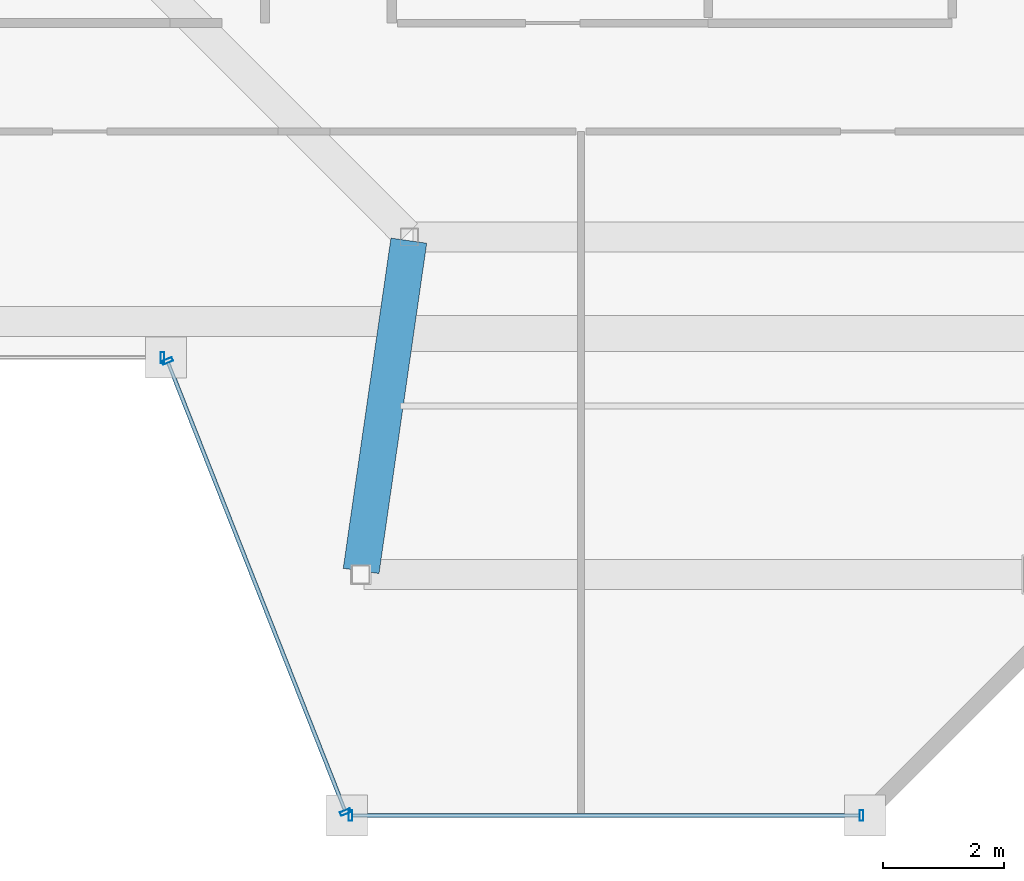
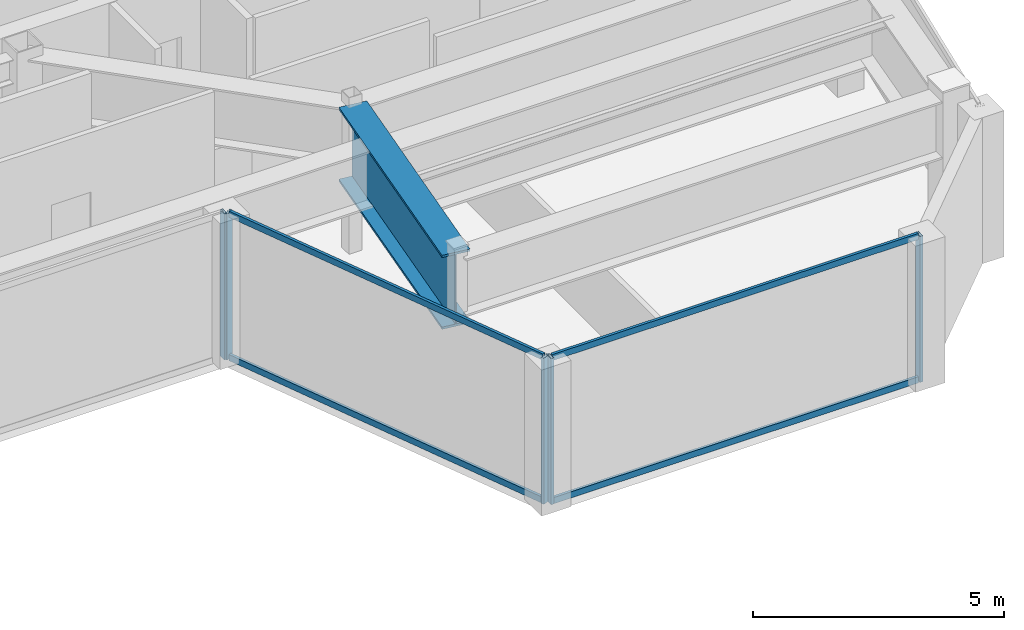
# One storey, part 12 of 23: 9 members, 1 beam, 3 elements without a shape of their own.
"""IFC4 building model written with IfcOpenShell, lengths in metres."""

from ifc_helpers import new_model, si_unit, direction, frame, origin, origin_2d, place, context, subcontext, project, spatial, hollow_rectangle, i_section, extrude, material, material_profile, profile_set, type_object, element, aggregate, save


model = new_model("IFC4")

# Units and contexts
model_context = context("Model", 3, precision=1e-05, world=origin(), true_north=direction((0.0, 1.0)))
body_context = subcontext(model_context, "Body", "Model", "MODEL_VIEW")
ifc_project = project(units=[si_unit("LENGTHUNIT", "METRE"), si_unit("AREAUNIT", "SQUARE_METRE"), si_unit("VOLUMEUNIT", "CUBIC_METRE"), si_unit("PLANEANGLEUNIT", "RADIAN"), si_unit("MASSUNIT", "GRAM", prefix="KILO")], contexts=[model_context])

# Site, building, storey
site_placement = place(None, origin())
site = spatial("IfcSite", under=ifc_project, at=site_placement, CompositionType="ELEMENT")
building_placement = place(site_placement, origin())
building = spatial("IfcBuilding", under=site, at=building_placement, Name="Saevonmaru Cultural Tower", CompositionType="ELEMENT")
storey_placement = place(building_placement, frame((0.0, 0.0, 291.39990234375)))
storey = spatial("IfcBuildingStorey", under=building, at=storey_placement, Name="L69", CompositionType="ELEMENT", Elevation=291.39990234375)

# Beam
ifc_material_1 = material(Name="Steel HSA600 (600 MPa)", Category="steel")
ifc_material_profile_1 = material_profile(ifc_material_1, i_section(OverallWidth=0.60009765625, OverallDepth=1.800048828125, WebThickness=0.028076171875, FlangeThickness=0.054931640625, at=origin_2d()), Name="PG-1800x600x28x55")
ifc_profile_set_1 = profile_set([ifc_material_profile_1], Name="Steel HSA600 (600 MPa)")
beam_type = type_object("IfcBeamType", Name="BM-TG-PG1800", PredefinedType="BEAM", material=ifc_profile_set_1)
beam_placement = place(storey_placement, frame((40.3916015625, 32.059326171875, 2.650146484375), z_axis=(0.142964121327, 0.989727871697, 0.0), x_axis=(-0.989727871697, 0.142964121327, 0.0)))
element("IfcBeam", 1, at=beam_placement, inside=storey, type_object=beam_type, Name="L69 East Atrium Girder 1", PredefinedType="BEAM", context=body_context, shape_type="SweptSolid", body=[
    extrude(i_section(OverallWidth=0.60009765625, OverallDepth=1.800048828125, WebThickness=0.028076171875, FlangeThickness=0.054931640625, at=origin_2d()), origin(), (0.0, 0.0, 1.0), 5.5380859375),
])

# Curtain wall, member
ifc_material_2 = material(Name="Satin Bronze Anodised Aluminium", Category="aluminium")
curtain_wall_type = type_object("IfcCurtainWallType", Name="CW-TYP-B", PredefinedType="NOTDEFINED", material=ifc_material_2)
curtain_wall_1_placement = place(storey_placement, origin())
curtain_wall_1 = element("IfcCurtainWall", 2, at=curtain_wall_1_placement, inside=storey, type_object=curtain_wall_type, Name="L69 Unitised Curtain Wall E4", PredefinedType="NOTDEFINED")
ifc_material_profile_2 = material_profile(ifc_material_2, hollow_rectangle(XDim=0.06494140625, YDim=0.179931640625, WallThickness=0.00390625, at=origin_2d()), Name="ALU-MULL-180x65x4")
ifc_profile_set_2 = profile_set([ifc_material_profile_2], Name="Satin Bronze Anodised Aluminium")
member_type_1 = type_object("IfcMemberType", Name="ML-CW-180x65", PredefinedType="MULLION", material=ifc_profile_set_2)
member_1_placement = place(storey_placement, frame((37.095703125, 35.60009765625, 0.0), z_axis=(0.0, 0.0, 1.0), x_axis=(1.0, 0.0, 0.0)))
member_1 = element("IfcMember", 3, at=member_1_placement, type_object=member_type_1, Name="CW-TW-L69-E4 mullion 2", PredefinedType="MULLION", context=body_context, shape_type="SweptSolid", body=[
    extrude(hollow_rectangle(XDim=0.06494140625, YDim=0.179931640625, WallThickness=0.00390625, at=origin_2d()), origin(), (0.0, 0.0, 1.0), 3.550048828125),
])
aggregate(curtain_wall_1, [member_1])

# Curtain wall, members
curtain_wall_2_placement = place(storey_placement, origin())
curtain_wall_2 = element("IfcCurtainWall", 4, at=curtain_wall_2_placement, inside=storey, type_object=curtain_wall_type, Name="L69 Unitised Curtain Wall E5", PredefinedType="NOTDEFINED")
member_2_placement = place(storey_placement, frame((37.177490234375, 35.544189453125, 0.0), z_axis=(0.0, 0.0, 1.0), x_axis=(0.367172185578, -0.930152990716, 0.0)))
member_2 = element("IfcMember", 5, at=member_2_placement, type_object=member_type_1, Name="CW-TW-L69-E5 mullion 1", PredefinedType="MULLION", context=body_context, shape_type="SweptSolid", body=[
    extrude(hollow_rectangle(XDim=0.06494140625, YDim=0.179931640625, WallThickness=0.00390625, at=origin_2d()), origin(), (0.0, 0.0, 1.0), 3.550048828125),
])
member_3_placement = place(storey_placement, frame((40.133544921875, 28.055908203125, 0.0), z_axis=(0.0, 0.0, 1.0), x_axis=(0.367172185578, -0.930152990716, 0.0)))
member_3 = element("IfcMember", 6, at=member_3_placement, type_object=member_type_1, Name="CW-TW-L69-E5 mullion 2", PredefinedType="MULLION", context=body_context, shape_type="SweptSolid", body=[
    extrude(hollow_rectangle(XDim=0.06494140625, YDim=0.179931640625, WallThickness=0.00390625, at=origin_2d()), origin(), (0.0, 0.0, 1.0), 3.550048828125),
])

curtain_wall_3_placement = place(storey_placement, origin())
curtain_wall_3 = element("IfcCurtainWall", 7, at=curtain_wall_3_placement, inside=storey, type_object=curtain_wall_type, Name="L69 Unitised Curtain Wall E6", PredefinedType="NOTDEFINED")
member_4_placement = place(storey_placement, frame((40.215576171875, 28.0, 0.0), z_axis=(0.0, 0.0, 1.0), x_axis=(1.0, 0.0, 0.0)))
member_4 = element("IfcMember", 8, at=member_4_placement, type_object=member_type_1, Name="CW-TW-L69-E6 mullion 1", PredefinedType="MULLION", context=body_context, shape_type="SweptSolid", body=[
    extrude(hollow_rectangle(XDim=0.06494140625, YDim=0.179931640625, WallThickness=0.00390625, at=origin_2d()), origin(), (0.0, 0.0, 1.0), 3.550048828125),
])
member_5_placement = place(storey_placement, frame((48.695556640625, 28.0, 0.0), z_axis=(0.0, 0.0, 1.0), x_axis=(1.0, 0.0, 0.0)))
member_5 = element("IfcMember", 9, at=member_5_placement, type_object=member_type_1, Name="CW-TW-L69-E6 mullion 2", PredefinedType="MULLION", context=body_context, shape_type="SweptSolid", body=[
    extrude(hollow_rectangle(XDim=0.06494140625, YDim=0.179931640625, WallThickness=0.00390625, at=origin_2d()), origin(), (0.0, 0.0, 1.0), 3.550048828125),
])

# Member
ifc_material_profile_3 = material_profile(ifc_material_2, hollow_rectangle(XDim=0.06494140625, YDim=0.14990234375, WallThickness=0.00390625, at=origin_2d()), Name="ALU-TRAN-150x65x4")
ifc_profile_set_3 = profile_set([ifc_material_profile_3], Name="Satin Bronze Anodised Aluminium")
member_type_2 = type_object("IfcMemberType", Name="TR-CW-150x65", PredefinedType="USERDEFINED", material=ifc_profile_set_3)
member_6_placement = place(storey_placement, frame((37.189453125, 35.513916015625, 0.03271484375), z_axis=(0.367170015072, -0.930153847507, 0.0), x_axis=(0.930153847507, 0.367170015072, 0.0)))
member_6 = element("IfcMember", 10, at=member_6_placement, type_object=member_type_2, Name="CW-TW-L69-E5 transom 1.1", ObjectType="TRANSOM", PredefinedType="USERDEFINED", context=body_context, shape_type="SweptSolid", body=[
    extrude(hollow_rectangle(XDim=0.06494140625, YDim=0.14990234375, WallThickness=0.00390625, at=origin_2d()), origin(), (0.0, 0.0, 1.0), 7.98583984375),
])

member_7_placement = place(storey_placement, frame((37.189453125, 35.513916015625, 3.517578125), z_axis=(0.367170015072, -0.930153847507, 0.0), x_axis=(0.930153847507, 0.367170015072, 0.0)))
member_7 = element("IfcMember", 11, at=member_7_placement, type_object=member_type_2, Name="CW-TW-L69-E5 transom 1.2", ObjectType="TRANSOM", PredefinedType="USERDEFINED", context=body_context, shape_type="SweptSolid", body=[
    extrude(hollow_rectangle(XDim=0.06494140625, YDim=0.14990234375, WallThickness=0.00390625, at=origin_2d()), origin(), (0.0, 0.0, 1.0), 7.98583984375),
])

aggregate(curtain_wall_2, [member_2, member_3, member_6, member_7])

member_8_placement = place(storey_placement, frame((40.248046875, 28.0, 0.03271484375), z_axis=(1.0, 0.0, 0.0), x_axis=(0.0, 1.0, 0.0)))
member_8 = element("IfcMember", 12, at=member_8_placement, type_object=member_type_2, Name="CW-TW-L69-E6 transom 1.1", ObjectType="TRANSOM", PredefinedType="USERDEFINED", context=body_context, shape_type="SweptSolid", body=[
    extrude(hollow_rectangle(XDim=0.06494140625, YDim=0.14990234375, WallThickness=0.00390625, at=origin_2d()), origin(), (0.0, 0.0, 1.0), 8.4150390625),
])

member_9_placement = place(storey_placement, frame((40.248046875, 28.0, 3.517578125), z_axis=(1.0, 0.0, 0.0), x_axis=(0.0, 1.0, 0.0)))
member_9 = element("IfcMember", 13, at=member_9_placement, type_object=member_type_2, Name="CW-TW-L69-E6 transom 1.2", ObjectType="TRANSOM", PredefinedType="USERDEFINED", context=body_context, shape_type="SweptSolid", body=[
    extrude(hollow_rectangle(XDim=0.06494140625, YDim=0.14990234375, WallThickness=0.00390625, at=origin_2d()), origin(), (0.0, 0.0, 1.0), 8.4150390625),
])

aggregate(curtain_wall_3, [member_4, member_5, member_8, member_9])

save(model, "model.ifc")
